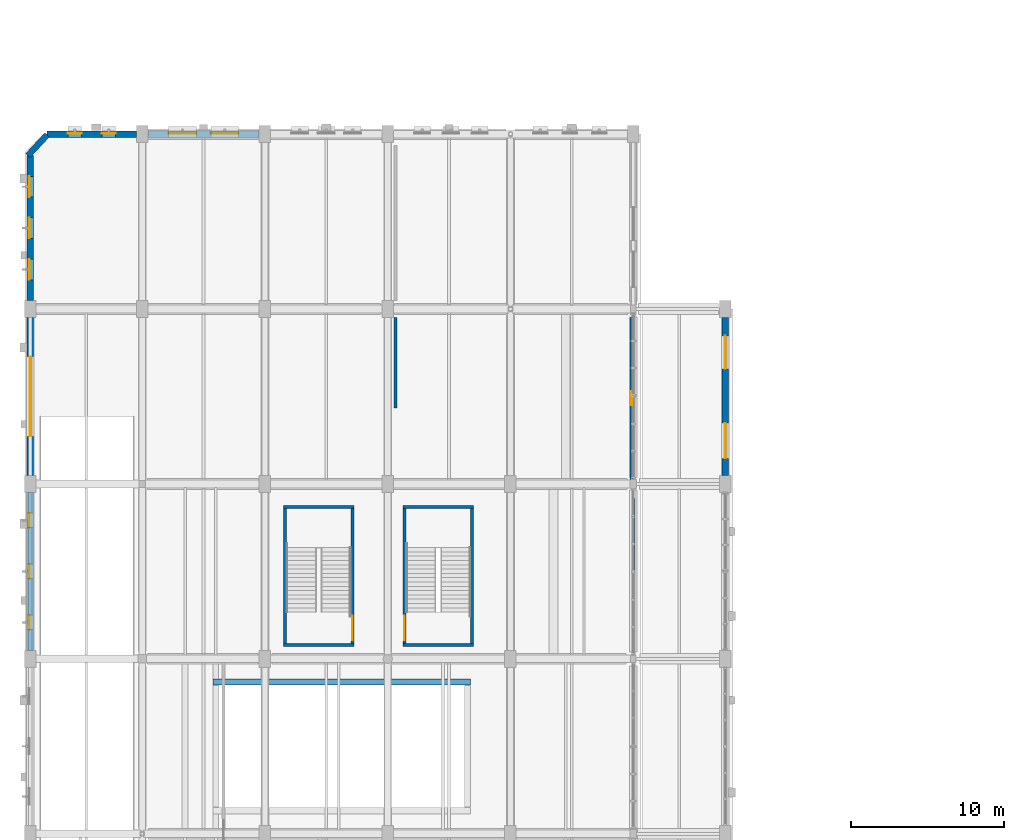
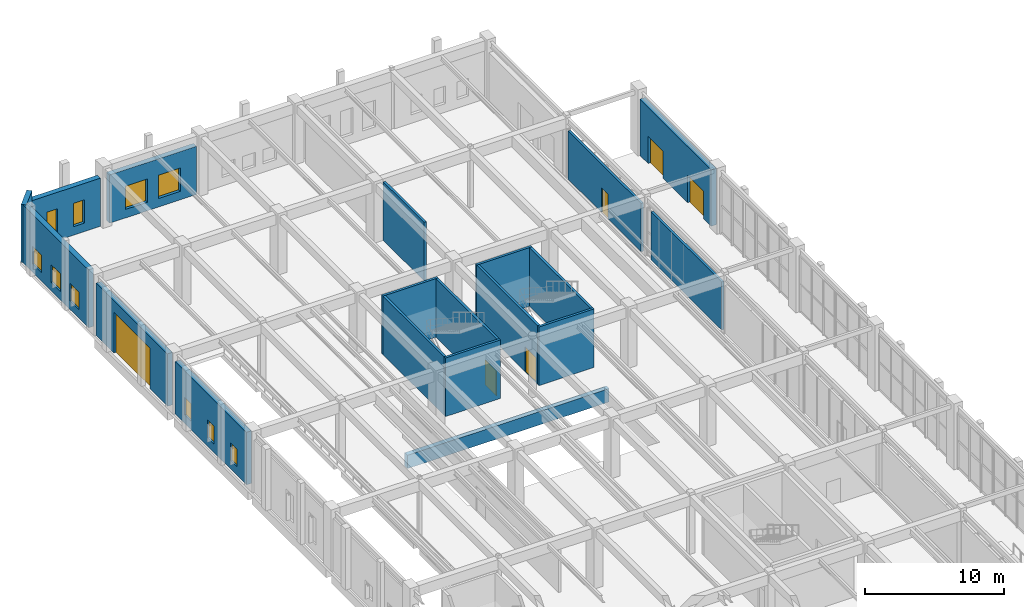
# One storey, part 88 of 113: 19 walls, 10 windows, 6 doors, 16 openings.
"""IFC4 building model written with IfcOpenShell, lengths in metres."""

import ifcopenshell
import ifcopenshell.guid

model = None  # the IFC model being written
_history = None  # IfcOwnerHistory: only IFC2X3 demands one
_inside = {}  # id of a spatial element -> (the spatial element, [elements in it])
_under = {}  # id of a project, library or spatial element -> (it, [spatial elements below it])
_declared = {}  # id of a project -> (the project, [libraries it declares])
_typed = {}  # id of a type object -> (the type object, [elements of that type])
_made_of = {}  # id of a material, layer set ... -> (it, [elements and type objects made of it])


def new_model(schema):
    """Start an empty IFC model of exactly this schema.

    Asked for "IFC4X3", IfcOpenShell would pick the latest addendum, in which some entities
    have other attributes; the version numbers below select the first issue.
    IFC2X3 requires an IfcOwnerHistory on every rooted entity: one is made here for all.
    """
    global model, _history
    if schema == "IFC4X3":
        model = ifcopenshell.file(schema_version=(4, 3, 0, 0))
    else:
        model = ifcopenshell.file(schema=schema)
    _inside.clear()
    _under.clear()
    _declared.clear()
    _typed.clear()
    _made_of.clear()
    _history = None
    if model.schema == "IFC2X3":
        org = make("IfcOrganization", Name="unknown")
        user = make(
            "IfcPersonAndOrganization",
            ThePerson=make("IfcPerson", FamilyName="unknown"),
            TheOrganization=org,
        )
        app = make(
            "IfcApplication",
            ApplicationDeveloper=org,
            Version="unknown",
            ApplicationFullName="unknown",
            ApplicationIdentifier="unknown",
        )
        _history = make(
            "IfcOwnerHistory",
            OwningUser=user,
            OwningApplication=app,
            ChangeAction="ADDED",
            CreationDate=0,
        )
    return model


def make(cls, **values):
    """One entity of the class cls with the attributes given. An attribute that is None is left unset."""
    return model.create_entity(
        cls, **{name: value for name, value in values.items() if value is not None}
    )


def rooted(cls, **values):
    """An entity with a GlobalId (a new one), such as an element, a storey or a relation."""
    return make(cls, GlobalId=ifcopenshell.guid.new(), OwnerHistory=_history, **values)


def si_unit(unit_type, name, prefix=None):
    """IfcSIUnit, for example si_unit("LENGTHUNIT", "METRE", prefix="MILLI")."""
    return make("IfcSIUnit", UnitType=unit_type, Prefix=prefix, Name=name)


def assignment(units):
    """IfcUnitAssignment: the units of a project."""
    return None if units is None else make("IfcUnitAssignment", Units=units)


def point(xyz):
    """IfcCartesianPoint."""
    return None if xyz is None else make("IfcCartesianPoint", Coordinates=xyz)


def direction(xyz):
    """IfcDirection."""
    return None if xyz is None else make("IfcDirection", DirectionRatios=xyz)


def frame(location, z_axis=None, x_axis=None):
    """IfcAxis2Placement3D, a coordinate frame: its origin and axes. An axis left out is left unset."""
    return make(
        "IfcAxis2Placement3D",
        Location=point(location),
        Axis=direction(z_axis),
        RefDirection=direction(x_axis),
    )


def frame_2d(location, x_axis=None):
    """IfcAxis2Placement2D, a coordinate frame in the plane: its origin and x axis."""
    return make(
        "IfcAxis2Placement2D", Location=point(location), RefDirection=direction(x_axis)
    )


def origin():
    """The frame at (0, 0, 0) with its axes left unset."""
    return frame((0.0, 0.0, 0.0))


def place(relative_to, where):
    """IfcLocalPlacement: puts the frame where relative to a parent placement (None: the world)."""
    return make(
        "IfcLocalPlacement", PlacementRelTo=relative_to, RelativePlacement=where
    )


def context(
    kind, dimensions, precision=None, world=None, true_north=None, identifier=None
):
    """IfcGeometricRepresentationContext, for example the 3D "Model" context."""
    return make(
        "IfcGeometricRepresentationContext",
        ContextIdentifier=identifier,
        ContextType=kind,
        CoordinateSpaceDimension=dimensions,
        Precision=precision,
        WorldCoordinateSystem=world,
        TrueNorth=true_north,
    )


def subcontext(parent, identifier, kind, view, scale=None):
    """IfcGeometricRepresentationSubContext, for example "Body" below "Model"."""
    return make(
        "IfcGeometricRepresentationSubContext",
        ContextIdentifier=identifier,
        ContextType=kind,
        ParentContext=parent,
        TargetScale=scale,
        TargetView=view,
    )


def project(units=None, contexts=None):
    """IfcProject with its units and contexts."""
    return rooted(
        "IfcProject",
        Name="project",
        RepresentationContexts=contexts,
        UnitsInContext=assignment(units),
    )


def spatial(cls, under=None, at=None, **own):
    """A site, building, storey or space (cls), placed at a placement, below another one or the project."""
    s = rooted(cls, ObjectPlacement=at, **own)
    if under is not None:
        _under.setdefault(under.id(), (under, []))[1].append(s)
    return s


def profile(cls, at=None, kind="AREA", **sizes):
    """A parametric profile (cls). Its sizes go by their IFC names, for example OverallWidth=200.0."""
    return make(cls, ProfileType=kind, Position=at, **sizes)


def rectangle(**sizes):
    """IfcRectangleProfileDef."""
    return profile("IfcRectangleProfileDef", **sizes)


def extrude(swept, where, along, depth):
    """IfcExtrudedAreaSolid: the profile swept, set in the frame where, extruded along a direction by depth."""
    return make(
        "IfcExtrudedAreaSolid",
        SweptArea=swept,
        Position=where,
        ExtrudedDirection=direction(along),
        Depth=depth,
    )


def shape(context_of_items, identifier, shape_type, items):
    """IfcShapeRepresentation: the items that make up one representation, for example the "Body"."""
    return make(
        "IfcShapeRepresentation",
        ContextOfItems=context_of_items,
        RepresentationIdentifier=identifier,
        RepresentationType=shape_type,
        Items=items,
    )


def material(Name=None, Category=None):
    """IfcMaterial."""
    return make("IfcMaterial", Name=Name, Category=Category)


def layer(
    of_material, thickness, ventilated=None, Name=None, Category=None, Priority=None
):
    """IfcMaterialLayer: one layer of a wall or slab, of a material (None: an air gap)."""
    return make(
        "IfcMaterialLayer",
        Material=of_material,
        LayerThickness=thickness,
        IsVentilated=ventilated,
        Name=Name,
        Category=Category,
        Priority=Priority,
    )


def layer_set(layers, Name=None):
    """IfcMaterialLayerSet."""
    return make("IfcMaterialLayerSet", MaterialLayers=layers, LayerSetName=Name)


def made_of(thing, what):
    """Note that an element or type object is made of a material, layer set ...; save() writes the relation."""
    if what is not None:
        _made_of.setdefault(what.id(), (what, []))[1].append(thing)
    return thing


def type_object(cls, material=None, **own):
    """A type object (cls), such as IfcWallType, which elements share."""
    return made_of(rooted(cls, **own), material)


def element(
    cls,
    number,
    at=None,
    inside=None,
    cuts=None,
    type_object=None,
    material=None,
    context=None,
    identifier="Body",
    shape_type=None,
    held_by="IfcProductDefinitionShape",
    body=None,
    shapes=None,
    **own,
):
    """One element of the class cls, such as IfcWall. Its Tag is "e" and its number.

    at: its placement. inside: the storey or other place that contains it. cuts: it is an
    opening in that element (IfcRelVoidsElement). A single representation is given by context,
    identifier, shape_type and body (its items); several are given by shapes. held_by: the class
    of the entity that holds the representations. save() writes the other relations.
    """
    e = rooted(cls, Tag="e%d" % number, ObjectPlacement=at, **own)
    if body is not None:
        shapes = [shape(context, identifier, shape_type, body)]
    if shapes is not None:
        e.Representation = make(held_by, Representations=shapes)
    if inside is not None:
        _inside.setdefault(inside.id(), (inside, []))[1].append(e)
    if cuts is not None:
        rooted(
            "IfcRelVoidsElement", RelatingBuildingElement=cuts, RelatedOpeningElement=e
        )
    if type_object is not None:
        _typed.setdefault(type_object.id(), (type_object, []))[1].append(e)
    return made_of(e, material)


def fill(opening, filler):
    """IfcRelFillsElement: the door or window that sits in an opening."""
    return rooted(
        "IfcRelFillsElement",
        RelatingOpeningElement=opening,
        RelatedBuildingElement=filler,
    )


def aggregate(whole, parts):
    """IfcRelAggregates: a whole, such as a stair, and the parts it consists of."""
    return rooted("IfcRelAggregates", RelatingObject=whole, RelatedObjects=parts)


def save(model, path):
    """Write the relations noted so far, then the file.

    IfcRelAggregates (storeys below a building ...), IfcRelContainedInSpatialStructure (elements
    in a storey), IfcRelDefinesByType, IfcRelAssociatesMaterial and IfcRelDeclares: one each for
    every whole, place, type object, material and project.
    """
    for whole, parts in _under.values():
        aggregate(whole, parts)
    for where, things in _inside.values():
        rooted(
            "IfcRelContainedInSpatialStructure",
            RelatedElements=things,
            RelatingStructure=where,
        )
    for kind, things in _typed.values():
        rooted("IfcRelDefinesByType", RelatedObjects=things, RelatingType=kind)
    for what, things in _made_of.values():
        rooted("IfcRelAssociatesMaterial", RelatedObjects=things, RelatingMaterial=what)
    for by, libraries in _declared.values():
        rooted("IfcRelDeclares", RelatingContext=by, RelatedDefinitions=libraries)
    model.write(path)


model = new_model("IFC4")

# Units and contexts
model_context = context("Model", 3, precision=1e-05, world=origin(), true_north=direction((0.0, 1.0)))
body_context = subcontext(model_context, "Body", "Model", "MODEL_VIEW")
ifc_project = project(units=[si_unit("LENGTHUNIT", "METRE"), si_unit("AREAUNIT", "SQUARE_METRE"), si_unit("VOLUMEUNIT", "CUBIC_METRE"), si_unit("PLANEANGLEUNIT", "RADIAN"), si_unit("MASSUNIT", "GRAM", prefix="KILO"), si_unit("POWERUNIT", "WATT"), si_unit("THERMODYNAMICTEMPERATUREUNIT", "KELVIN")], contexts=[model_context])

# Site, building, storey
site_placement = place(None, origin())
site = spatial("IfcSite", under=ifc_project, at=site_placement, CompositionType="ELEMENT")
building_placement = place(site_placement, origin())
building = spatial("IfcBuilding", under=site, at=building_placement, Name="Kelmbourne Parkland Aquatics Centre", CompositionType="ELEMENT")
storey_placement = place(building_placement, origin())
storey = spatial("IfcBuildingStorey", under=building, at=storey_placement, Name="L00", CompositionType="ELEMENT", Elevation=0.0)

# Wall
ifc_material_1 = material(Name="Russet clinker clay brickwork", Category="masonry")
ifc_layer_1 = layer(ifc_material_1, 0.389892578125)
ifc_layer_set_1 = layer_set([ifc_layer_1], Name="Russet clinker clay brickwork")
wall_type_1 = type_object("IfcWallType", Name="W-EXT-390", PredefinedType="STANDARD", material=ifc_layer_set_1)
wall_1_placement = place(storey_placement, frame((0.550048828125, 102.0, 0.0), z_axis=(0.0, 0.0, 1.0), x_axis=(0.679381571114, 0.733785173488, 0.0)))
element("IfcWall", 1, at=wall_1_placement, inside=storey, type_object=wall_type_1, Name="Stepped brick corner bevel CHAM-L00-NW", PredefinedType="STANDARD", context=body_context, shape_type="SweptSolid", body=[
    extrude(rectangle(XDim=1.83984375, YDim=0.389892578125, at=frame_2d((0.919921875, 0.0))), origin(), (0.0, 0.0, 1.0), 5.10009765625),
])

# Wall, openings, windows
ifc_material_2 = material(Name="Dark manganite base-course brickwork", Category="masonry")
ifc_layer_2 = layer(ifc_material_2, 0.429931640625)
ifc_layer_set_2 = layer_set([ifc_layer_2], Name="Dark manganite base-course brickwork")
wall_type_2 = type_object("IfcWallType", Name="W-EXT-430", PredefinedType="STANDARD", material=ifc_layer_set_2)
wall_2_placement = place(storey_placement, frame((0.699951171875, 69.751953125, 0.0), z_axis=(0.0, 0.0, 1.0), x_axis=(0.0, 1.0, 0.0)))
wall_2 = element("IfcWall", 2, at=wall_2_placement, inside=storey, type_object=wall_type_2, Name="Exterior polychrome brick wall EW-L00-007", PredefinedType="STANDARD", context=body_context, shape_type="SweptSolid", body=[
    extrude(rectangle(XDim=10.296142578125, YDim=0.429931640625, at=frame_2d((5.14794921875, 0.0))), origin(), (0.0, 0.0, 1.0), 4.612060546875),
])
opening_1_placement = place(wall_2_placement, frame((1.35009765625, 0.0, 0.75)))
opening_1 = element("IfcOpeningElement", 3, at=opening_1_placement, cuts=wall_2, Name="Opening W21", PredefinedType="OPENING", context=body_context, shape_type="SweptSolid", body=[
    extrude(rectangle(XDim=0.949951171875, YDim=1.550048828125, at=frame_2d((0.47509765625, 0.77490234375))), frame((0.0, 0.22705078125, 0.0), z_axis=(0.0, -1.0, 0.0), x_axis=(1.0, 0.0, 0.0)), (0.0, 0.0, 1.0), 0.453857421875),
])
opening_2_placement = place(wall_2_placement, frame((4.673095703125, 0.0, 0.75)))
opening_2 = element("IfcOpeningElement", 4, at=opening_2_placement, cuts=wall_2, Name="Opening W21", PredefinedType="OPENING", context=body_context, shape_type="SweptSolid", body=[
    extrude(rectangle(XDim=0.949951171875, YDim=1.550048828125, at=frame_2d((0.47509765625, 0.77490234375))), frame((0.0, 0.22705078125, 0.0), z_axis=(0.0, -1.0, 0.0), x_axis=(1.0, 0.0, 0.0)), (0.0, 0.0, 1.0), 0.453857421875),
])
opening_3_placement = place(wall_2_placement, frame((7.99609375, 0.0, 0.75)))
opening_3 = element("IfcOpeningElement", 5, at=opening_3_placement, cuts=wall_2, Name="Opening W21", PredefinedType="OPENING", context=body_context, shape_type="SweptSolid", body=[
    extrude(rectangle(XDim=0.949951171875, YDim=1.550048828125, at=frame_2d((0.47509765625, 0.77490234375))), frame((0.0, 0.22705078125, 0.0), z_axis=(0.0, -1.0, 0.0), x_axis=(1.0, 0.0, 0.0)), (0.0, 0.0, 1.0), 0.453857421875),
])
ifc_material_3 = material(Name="Thermally broken anodised aluminium window with low-e glass", Category="aluminium")
ifc_layer_3 = layer(ifc_material_3, 0.090087890625)
ifc_layer_set_3 = layer_set([ifc_layer_3], Name="Thermally broken anodised aluminium window with low-e glass")
window_type_1 = type_object("IfcWindowType", Name="WN-21", PartitioningType="SINGLE_PANEL", PredefinedType="WINDOW", material=ifc_layer_set_3)
window_1_placement = place(opening_1_placement, origin())
window_1 = element("IfcWindow", 6, at=window_1_placement, inside=storey, type_object=window_type_1, Name="Deep-reveal masonry window W21", OverallHeight=1.550048828125, OverallWidth=0.949951171875, PartitioningType="SINGLE_PANEL", PredefinedType="WINDOW", context=body_context, shape_type="SweptSolid", body=[
    extrude(rectangle(XDim=0.949951171875, YDim=1.550048828125, at=frame_2d((0.47509765625, 0.77490234375))), frame((0.0, 0.080078125, 0.0), z_axis=(0.0, -1.0, 0.0), x_axis=(1.0, 0.0, 0.0)), (0.0, 0.0, 1.0), 0.06005859375),
])
fill(opening_1, window_1)
window_2_placement = place(opening_2_placement, origin())
window_2 = element("IfcWindow", 7, at=window_2_placement, inside=storey, type_object=window_type_1, Name="Deep-reveal masonry window W21", OverallHeight=1.550048828125, OverallWidth=0.949951171875, PartitioningType="SINGLE_PANEL", PredefinedType="WINDOW", context=body_context, shape_type="SweptSolid", body=[
    extrude(rectangle(XDim=0.949951171875, YDim=1.550048828125, at=frame_2d((0.47509765625, 0.77490234375))), frame((0.0, 0.080078125, 0.0), z_axis=(0.0, -1.0, 0.0), x_axis=(1.0, 0.0, 0.0)), (0.0, 0.0, 1.0), 0.06005859375),
])
fill(opening_2, window_2)
window_3_placement = place(opening_3_placement, origin())
window_3 = element("IfcWindow", 8, at=window_3_placement, inside=storey, type_object=window_type_1, Name="Deep-reveal masonry window W21", OverallHeight=1.550048828125, OverallWidth=0.949951171875, PartitioningType="SINGLE_PANEL", PredefinedType="WINDOW", context=body_context, shape_type="SweptSolid", body=[
    extrude(rectangle(XDim=0.949951171875, YDim=1.550048828125, at=frame_2d((0.47509765625, 0.77490234375))), frame((0.0, 0.080078125, 0.0), z_axis=(0.0, -1.0, 0.0), x_axis=(1.0, 0.0, 0.0)), (0.0, 0.0, 1.0), 0.06005859375),
])
fill(opening_3, window_3)

# Wall, opening, door
wall_3_placement = place(storey_placement, frame((0.699951171875, 81.152099609375, 0.0), z_axis=(0.0, 0.0, 1.0), x_axis=(0.0, 1.0, 0.0)))
wall_3 = element("IfcWall", 9, at=wall_3_placement, inside=storey, type_object=wall_type_2, Name="Exterior polychrome brick wall EW-L00-008", PredefinedType="STANDARD", context=body_context, shape_type="SweptSolid", body=[
    extrude(rectangle(XDim=10.2958984375, YDim=0.429931640625, at=frame_2d((5.14794921875, 0.0))), origin(), (0.0, 0.0, 1.0), 4.612060546875),
])
opening_4_placement = place(wall_3_placement, frame((2.548095703125, 0.0, 0.0)))
opening_4 = element("IfcOpeningElement", 10, at=opening_4_placement, cuts=wall_3, Name="Opening SH01", PredefinedType="OPENING", context=body_context, shape_type="SweptSolid", body=[
    extrude(rectangle(XDim=5.199951171875, YDim=3.60009765625, at=frame_2d((2.60009765625, 1.800048828125))), frame((0.0, 0.22705078125, 0.0), z_axis=(0.0, -1.0, 0.0), x_axis=(1.0, 0.0, 0.0)), (0.0, 0.0, 1.0), 0.453857421875),
])
ifc_material_4 = material(Name="Thermally broken anodised aluminium commercial door", Category="aluminium")
ifc_layer_4 = layer(ifc_material_4, 0.06005859375)
ifc_layer_set_4 = layer_set([ifc_layer_4], Name="Thermally broken anodised aluminium commercial door")
door_type_1 = type_object("IfcDoorType", Name="DR-SH-01", OperationType="NOTDEFINED", PredefinedType="DOOR", material=ifc_layer_set_4)
door_1_placement = place(opening_4_placement, origin())
door_1 = element("IfcDoor", 11, at=door_1_placement, inside=storey, type_object=door_type_1, Name="Motorised vehicle security shutter SH01", OperationType="ROLLINGUP", OverallHeight=3.60009765625, OverallWidth=5.199951171875, PredefinedType="DOOR", context=body_context, shape_type="SweptSolid", body=[
    extrude(rectangle(XDim=5.199951171875, YDim=3.60009765625, at=frame_2d((2.60009765625, 1.800048828125))), frame((0.0, 0.02490234375, 0.0), z_axis=(0.0, -1.0, 0.0), x_axis=(1.0, 0.0, 0.0)), (0.0, 0.0, 1.0), 0.050048828125),
])
fill(opening_4, door_1)

# Wall, openings, windows
wall_4_placement = place(storey_placement, frame((0.699951171875, 92.552001953125, 0.0), z_axis=(0.0, 0.0, 1.0), x_axis=(0.0, 1.0, 0.0)))
wall_4 = element("IfcWall", 12, at=wall_4_placement, inside=storey, type_object=wall_type_2, Name="Exterior polychrome brick wall EW-L00-009", PredefinedType="STANDARD", context=body_context, shape_type="SweptSolid", body=[
    extrude(rectangle(XDim=9.447998046875, YDim=0.429931640625, at=frame_2d((4.72412109375, 0.0))), origin(), (0.0, 0.0, 1.0), 5.10009765625),
])
opening_5_placement = place(wall_4_placement, frame((1.35009765625, 0.0, 0.75)))
opening_5 = element("IfcOpeningElement", 13, at=opening_5_placement, cuts=wall_4, Name="Opening W22", PredefinedType="OPENING", context=body_context, shape_type="SweptSolid", body=[
    extrude(rectangle(XDim=1.35009765625, YDim=1.550048828125, at=frame_2d((0.675048828125, 0.77490234375))), frame((0.0, 0.22705078125, 0.0), z_axis=(0.0, -1.0, 0.0), x_axis=(1.0, 0.0, 0.0)), (0.0, 0.0, 1.0), 0.453857421875),
])
opening_6_placement = place(wall_4_placement, frame((4.049072265625, 0.0, 0.75)))
opening_6 = element("IfcOpeningElement", 14, at=opening_6_placement, cuts=wall_4, Name="Opening W22", PredefinedType="OPENING", context=body_context, shape_type="SweptSolid", body=[
    extrude(rectangle(XDim=1.35009765625, YDim=1.550048828125, at=frame_2d((0.675048828125, 0.77490234375))), frame((0.0, 0.22705078125, 0.0), z_axis=(0.0, -1.0, 0.0), x_axis=(1.0, 0.0, 0.0)), (0.0, 0.0, 1.0), 0.453857421875),
])
opening_7_placement = place(wall_4_placement, frame((6.748046875, 0.0, 0.75)))
opening_7 = element("IfcOpeningElement", 15, at=opening_7_placement, cuts=wall_4, Name="Opening W22", PredefinedType="OPENING", context=body_context, shape_type="SweptSolid", body=[
    extrude(rectangle(XDim=1.35009765625, YDim=1.550048828125, at=frame_2d((0.675048828125, 0.77490234375))), frame((0.0, 0.22705078125, 0.0), z_axis=(0.0, -1.0, 0.0), x_axis=(1.0, 0.0, 0.0)), (0.0, 0.0, 1.0), 0.453857421875),
])
ifc_layer_5 = layer(ifc_material_3, 0.090087890625)
ifc_layer_set_5 = layer_set([ifc_layer_5], Name="Thermally broken anodised aluminium window with low-e glass")
window_type_2 = type_object("IfcWindowType", Name="WN-22", PartitioningType="DOUBLE_PANEL_VERTICAL", PredefinedType="WINDOW", material=ifc_layer_set_5)
window_4_placement = place(opening_5_placement, origin())
window_4 = element("IfcWindow", 16, at=window_4_placement, inside=storey, type_object=window_type_2, Name="Deep-reveal masonry window W22", OverallHeight=1.550048828125, OverallWidth=1.35009765625, PartitioningType="DOUBLE_PANEL_VERTICAL", PredefinedType="WINDOW", context=body_context, shape_type="SweptSolid", body=[
    extrude(rectangle(XDim=1.35009765625, YDim=1.550048828125, at=frame_2d((0.675048828125, 0.77490234375))), frame((0.0, 0.080078125, 0.0), z_axis=(0.0, -1.0, 0.0), x_axis=(1.0, 0.0, 0.0)), (0.0, 0.0, 1.0), 0.06005859375),
])
fill(opening_5, window_4)
window_5_placement = place(opening_6_placement, origin())
window_5 = element("IfcWindow", 17, at=window_5_placement, inside=storey, type_object=window_type_2, Name="Deep-reveal masonry window W22", OverallHeight=1.550048828125, OverallWidth=1.35009765625, PartitioningType="DOUBLE_PANEL_VERTICAL", PredefinedType="WINDOW", context=body_context, shape_type="SweptSolid", body=[
    extrude(rectangle(XDim=1.35009765625, YDim=1.550048828125, at=frame_2d((0.675048828125, 0.77490234375))), frame((0.0, 0.080078125, 0.0), z_axis=(0.0, -1.0, 0.0), x_axis=(1.0, 0.0, 0.0)), (0.0, 0.0, 1.0), 0.06005859375),
])
fill(opening_6, window_5)
window_6_placement = place(opening_7_placement, origin())
window_6 = element("IfcWindow", 18, at=window_6_placement, inside=storey, type_object=window_type_2, Name="Deep-reveal masonry window W22", OverallHeight=1.550048828125, OverallWidth=1.35009765625, PartitioningType="DOUBLE_PANEL_VERTICAL", PredefinedType="WINDOW", context=body_context, shape_type="SweptSolid", body=[
    extrude(rectangle(XDim=1.35009765625, YDim=1.550048828125, at=frame_2d((0.675048828125, 0.77490234375))), frame((0.0, 0.080078125, 0.0), z_axis=(0.0, -1.0, 0.0), x_axis=(1.0, 0.0, 0.0)), (0.0, 0.0, 1.0), 0.06005859375),
])
fill(opening_7, window_6)

wall_5_placement = place(storey_placement, frame((1.800048828125, 103.39990234375, 0.0), z_axis=(0.0, 0.0, 1.0), x_axis=(1.0, 0.0, 0.0)))
wall_5 = element("IfcWall", 19, at=wall_5_placement, inside=storey, type_object=wall_type_2, Name="Exterior polychrome brick wall EW-L00-015", PredefinedType="STANDARD", context=body_context, shape_type="SweptSolid", body=[
    extrude(rectangle(XDim=5.822998046875, YDim=0.429931640625, at=frame_2d((2.91162109375, 0.0))), origin(), (0.0, 0.0, 1.0), 4.2451171875),
])
opening_8_placement = place(wall_5_placement, frame((1.35009765625, 0.0, 0.75)))
opening_8 = element("IfcOpeningElement", 20, at=opening_8_placement, cuts=wall_5, Name="Opening W07", PredefinedType="OPENING", context=body_context, shape_type="SweptSolid", body=[
    extrude(rectangle(XDim=0.89990234375, YDim=2.050048828125, at=frame_2d((0.449951171875, 1.02490234375))), frame((0.0, 0.22705078125, 0.0), z_axis=(0.0, -1.0, 0.0), x_axis=(1.0, 0.0, 0.0)), (0.0, 0.0, 1.0), 0.453857421875),
])
opening_9_placement = place(wall_5_placement, frame((3.572998046875, 0.0, 0.75)))
opening_9 = element("IfcOpeningElement", 21, at=opening_9_placement, cuts=wall_5, Name="Opening W07", PredefinedType="OPENING", context=body_context, shape_type="SweptSolid", body=[
    extrude(rectangle(XDim=0.89990234375, YDim=2.050048828125, at=frame_2d((0.449951171875, 1.02490234375))), frame((0.0, 0.22705078125, 0.0), z_axis=(0.0, -1.0, 0.0), x_axis=(1.0, 0.0, 0.0)), (0.0, 0.0, 1.0), 0.453857421875),
])
ifc_layer_6 = layer(ifc_material_3, 0.090087890625)
ifc_layer_set_6 = layer_set([ifc_layer_6], Name="Thermally broken anodised aluminium window with low-e glass")
window_type_3 = type_object("IfcWindowType", Name="WN-07", PartitioningType="SINGLE_PANEL", PredefinedType="WINDOW", material=ifc_layer_set_6)
window_7_placement = place(opening_8_placement, origin())
window_7 = element("IfcWindow", 22, at=window_7_placement, inside=storey, type_object=window_type_3, Name="Deep-reveal masonry window W07", OverallHeight=2.050048828125, OverallWidth=0.89990234375, PartitioningType="SINGLE_PANEL", PredefinedType="WINDOW", context=body_context, shape_type="SweptSolid", body=[
    extrude(rectangle(XDim=0.89990234375, YDim=2.050048828125, at=frame_2d((0.449951171875, 1.02490234375))), frame((0.0, 0.080078125, 0.0), z_axis=(0.0, -1.0, 0.0), x_axis=(1.0, 0.0, 0.0)), (0.0, 0.0, 1.0), 0.06005859375),
])
fill(opening_8, window_7)
window_8_placement = place(opening_9_placement, origin())
window_8 = element("IfcWindow", 23, at=window_8_placement, inside=storey, type_object=window_type_3, Name="Deep-reveal masonry window W07", OverallHeight=2.050048828125, OverallWidth=0.89990234375, PartitioningType="SINGLE_PANEL", PredefinedType="WINDOW", context=body_context, shape_type="SweptSolid", body=[
    extrude(rectangle(XDim=0.89990234375, YDim=2.050048828125, at=frame_2d((0.449951171875, 1.02490234375))), frame((0.0, 0.080078125, 0.0), z_axis=(0.0, -1.0, 0.0), x_axis=(1.0, 0.0, 0.0)), (0.0, 0.0, 1.0), 0.06005859375),
])
fill(opening_9, window_8)

wall_6_placement = place(storey_placement, frame((8.376953125, 103.39990234375, 0.0), z_axis=(0.0, 0.0, 1.0), x_axis=(1.0, 0.0, 0.0)))
wall_6 = element("IfcWall", 24, at=wall_6_placement, inside=storey, type_object=wall_type_2, Name="Exterior polychrome brick wall EW-L00-016", PredefinedType="STANDARD", context=body_context, shape_type="SweptSolid", body=[
    extrude(rectangle(XDim=7.24609375, YDim=0.429931640625, at=frame_2d((3.623046875, 0.0))), origin(), (0.0, 0.0, 1.0), 4.2451171875),
])
opening_10_placement = place(wall_6_placement, frame((1.35009765625, 0.0, 0.75)))
opening_10 = element("IfcOpeningElement", 25, at=opening_10_placement, cuts=wall_6, Name="Opening W10", PredefinedType="OPENING", context=body_context, shape_type="SweptSolid", body=[
    extrude(rectangle(XDim=1.800048828125, YDim=2.050048828125, at=frame_2d((0.89990234375, 1.02490234375))), frame((0.0, 0.22705078125, 0.0), z_axis=(0.0, -1.0, 0.0), x_axis=(1.0, 0.0, 0.0)), (0.0, 0.0, 1.0), 0.453857421875),
])
opening_11_placement = place(wall_6_placement, frame((4.095947265625, 0.0, 0.75)))
opening_11 = element("IfcOpeningElement", 26, at=opening_11_placement, cuts=wall_6, Name="Opening W10", PredefinedType="OPENING", context=body_context, shape_type="SweptSolid", body=[
    extrude(rectangle(XDim=1.800048828125, YDim=2.050048828125, at=frame_2d((0.89990234375, 1.02490234375))), frame((0.0, 0.22705078125, 0.0), z_axis=(0.0, -1.0, 0.0), x_axis=(1.0, 0.0, 0.0)), (0.0, 0.0, 1.0), 0.453857421875),
])
ifc_layer_7 = layer(ifc_material_3, 0.090087890625)
ifc_layer_set_7 = layer_set([ifc_layer_7], Name="Thermally broken anodised aluminium window with low-e glass")
window_type_4 = type_object("IfcWindowType", Name="WN-10", PartitioningType="DOUBLE_PANEL_VERTICAL", PredefinedType="WINDOW", material=ifc_layer_set_7)
window_9_placement = place(opening_10_placement, origin())
window_9 = element("IfcWindow", 27, at=window_9_placement, inside=storey, type_object=window_type_4, Name="Deep-reveal masonry window W10", OverallHeight=2.050048828125, OverallWidth=1.800048828125, PartitioningType="DOUBLE_PANEL_VERTICAL", PredefinedType="WINDOW", context=body_context, shape_type="SweptSolid", body=[
    extrude(rectangle(XDim=1.800048828125, YDim=2.050048828125, at=frame_2d((0.89990234375, 1.02490234375))), frame((0.0, 0.080078125, 0.0), z_axis=(0.0, -1.0, 0.0), x_axis=(1.0, 0.0, 0.0)), (0.0, 0.0, 1.0), 0.06005859375),
])
fill(opening_10, window_9)
window_10_placement = place(opening_11_placement, origin())
window_10 = element("IfcWindow", 28, at=window_10_placement, inside=storey, type_object=window_type_4, Name="Deep-reveal masonry window W10", OverallHeight=2.050048828125, OverallWidth=1.800048828125, PartitioningType="DOUBLE_PANEL_VERTICAL", PredefinedType="WINDOW", context=body_context, shape_type="SweptSolid", body=[
    extrude(rectangle(XDim=1.800048828125, YDim=2.050048828125, at=frame_2d((0.89990234375, 1.02490234375))), frame((0.0, 0.080078125, 0.0), z_axis=(0.0, -1.0, 0.0), x_axis=(1.0, 0.0, 0.0)), (0.0, 0.0, 1.0), 0.06005859375),
])
fill(opening_11, window_10)

# Wall, openings, doors
wall_7_placement = place(storey_placement, frame((46.0, 81.152099609375, 0.0), z_axis=(0.0, 0.0, 1.0), x_axis=(0.0, 1.0, 0.0)))
wall_7 = element("IfcWall", 29, at=wall_7_placement, inside=storey, type_object=wall_type_2, Name="Exterior polychrome brick wall EW-L00-031", PredefinedType="STANDARD", context=body_context, shape_type="SweptSolid", body=[
    extrude(rectangle(XDim=10.2958984375, YDim=0.429931640625, at=frame_2d((5.14794921875, 0.0))), origin(), (0.0, 0.0, 1.0), 4.951904296875),
])
opening_12_placement = place(wall_7_placement, frame((1.114990234375, 0.0, 0.0)))
opening_12 = element("IfcOpeningElement", 30, at=opening_12_placement, cuts=wall_7, Name="Opening E09", PredefinedType="OPENING", context=body_context, shape_type="SweptSolid", body=[
    extrude(rectangle(XDim=2.300048828125, YDim=2.39990234375, at=frame_2d((1.14990234375, 1.199951171875))), frame((0.0, 0.22705078125, 0.0), z_axis=(0.0, -1.0, 0.0), x_axis=(1.0, 0.0, 0.0)), (0.0, 0.0, 1.0), 0.453857421875),
])
opening_13_placement = place(wall_7_placement, frame((6.955810546875, 0.0, 0.0)))
opening_13 = element("IfcOpeningElement", 31, at=opening_13_placement, cuts=wall_7, Name="Opening E10", PredefinedType="OPENING", context=body_context, shape_type="SweptSolid", body=[
    extrude(rectangle(XDim=2.14990234375, YDim=2.39990234375, at=frame_2d((1.074951171875, 1.199951171875))), frame((0.0, 0.22705078125, 0.0), z_axis=(0.0, -1.0, 0.0), x_axis=(1.0, 0.0, 0.0)), (0.0, 0.0, 1.0), 0.453857421875),
])
ifc_layer_8 = layer(ifc_material_4, 0.06005859375)
ifc_layer_set_8 = layer_set([ifc_layer_8], Name="Thermally broken anodised aluminium commercial door")
door_type_2 = type_object("IfcDoorType", Name="DR-EXT-215", OperationType="NOTDEFINED", PredefinedType="DOOR", material=ifc_layer_set_8)
door_2_placement = place(opening_13_placement, frame((2.14990234375, 0.0, 0.0), z_axis=(0.0, 0.0, 1.0), x_axis=(-1.0, 0.0, 0.0)))
door_2 = element("IfcDoor", 32, at=door_2_placement, inside=storey, type_object=door_type_2, Name="Final exit double door E10", OperationType="DOUBLE_DOOR_SINGLE_SWING", OverallHeight=2.39990234375, OverallWidth=2.14990234375, PredefinedType="DOOR", context=body_context, shape_type="SweptSolid", body=[
    extrude(rectangle(XDim=2.14990234375, YDim=2.39990234375, at=frame_2d((1.074951171875, 1.199951171875))), frame((0.0, 0.02490234375, 0.0), z_axis=(0.0, -1.0, 0.0), x_axis=(1.0, 0.0, 0.0)), (0.0, 0.0, 1.0), 0.050048828125),
])
fill(opening_13, door_2)
ifc_layer_9 = layer(ifc_material_4, 0.06005859375)
ifc_layer_set_9 = layer_set([ifc_layer_9], Name="Thermally broken anodised aluminium commercial door")
door_type_3 = type_object("IfcDoorType", Name="DR-EXT-230", OperationType="NOTDEFINED", PredefinedType="DOOR", material=ifc_layer_set_9)
door_3_placement = place(opening_12_placement, frame((2.300048828125, 0.0, 0.0), z_axis=(0.0, 0.0, 1.0), x_axis=(-1.0, 0.0, 0.0)))
door_3 = element("IfcDoor", 33, at=door_3_placement, inside=storey, type_object=door_type_3, Name="Final exit double door E09", OperationType="DOUBLE_DOOR_SINGLE_SWING", OverallHeight=2.39990234375, OverallWidth=2.300048828125, PredefinedType="DOOR", context=body_context, shape_type="SweptSolid", body=[
    extrude(rectangle(XDim=2.300048828125, YDim=2.39990234375, at=frame_2d((1.14990234375, 1.199951171875))), frame((0.0, 0.02490234375, 0.0), z_axis=(0.0, -1.0, 0.0), x_axis=(1.0, 0.0, 0.0)), (0.0, 0.0, 1.0), 0.050048828125),
])
fill(opening_12, door_3)

# Walls
ifc_material_5 = material(Name="Concrete blockwork C32/40", Category="masonry")
ifc_layer_10 = layer(ifc_material_5, 0.199951171875)
ifc_layer_set_10 = layer_set([ifc_layer_10], Name="Concrete blockwork C32/40")
wall_type_3 = type_object("IfcWallType", Name="W-FIRE-200", PredefinedType="SOLIDWALL", material=ifc_layer_set_10)
for number, where, z_axis, x_axis, name in (
    (34, (25.0, 70.10009765625, 0.0), (0.0, 0.0, 1.0), (1.0, 0.0, 0.0), "West North Prow Exit Stair south enclosure (L00)"),
    (35, (25.0, 79.10009765625, 0.0), (0.0, 0.0, 1.0), (1.0, 0.0, 0.0), "West North Prow Exit Stair north enclosure (L00)"),
):
    element("IfcWall", number, at=place(storey_placement, frame(where, z_axis=z_axis, x_axis=x_axis)), inside=storey, type_object=wall_type_3, Name=name, PredefinedType="SOLIDWALL", context=body_context, shape_type="SweptSolid", body=[
        extrude(rectangle(XDim=4.60009765625, YDim=0.199951171875, at=frame_2d((2.300048828125, 0.0))), origin(), (0.0, 0.0, 1.0), 5.159912109375),
    ])

# Wall, opening, door
wall_8_placement = place(storey_placement, frame((25.10009765625, 70.199951171875, 0.0), z_axis=(0.0, 0.0, 1.0), x_axis=(0.0, 1.0, 0.0)))
wall_8 = element("IfcWall", 36, at=wall_8_placement, inside=storey, type_object=wall_type_3, Name="West North Prow Exit Stair west enclosure (L00)", PredefinedType="SOLIDWALL", context=body_context, shape_type="SweptSolid", body=[
    extrude(rectangle(XDim=8.800048828125, YDim=0.199951171875, at=frame_2d((4.39990234375, 0.0))), origin(), (0.0, 0.0, 1.0), 5.159912109375),
])
opening_14_placement = place(wall_8_placement, frame((0.219970703125, 0.0, 0.0)))
opening_14 = element("IfcOpeningElement", 37, at=opening_14_placement, cuts=wall_8, Name="Opening FD02", PredefinedType="OPENING", context=body_context, shape_type="SweptSolid", body=[
    extrude(rectangle(XDim=1.60009765625, YDim=2.199951171875, at=frame_2d((0.800048828125, 1.10009765625))), frame((0.0, 0.11181640625, 0.0), z_axis=(0.0, -1.0, 0.0), x_axis=(1.0, 0.0, 0.0)), (0.0, 0.0, 1.0), 0.223876953125),
])
ifc_material_6 = material(Name="Marine-grade stainless steel and fire-rated hardwood doorset", Category="steel")
ifc_layer_11 = layer(ifc_material_6, 0.050048828125)
ifc_layer_set_11 = layer_set([ifc_layer_11], Name="Marine-grade stainless steel and fire-rated hardwood doorset")
door_type_4 = type_object("IfcDoorType", Name="DR-FD-160", OperationType="NOTDEFINED", PredefinedType="DOOR", material=ifc_layer_set_11)
door_4_placement = place(opening_14_placement, origin())
door_4 = element("IfcDoor", 38, at=door_4_placement, inside=storey, type_object=door_type_4, Name="Exit stair fire door ST12 (L00)", OperationType="DOUBLE_DOOR_SINGLE_SWING", OverallHeight=2.199951171875, OverallWidth=1.60009765625, PredefinedType="DOOR", context=body_context, shape_type="SweptSolid", body=[
    extrude(rectangle(XDim=1.60009765625, YDim=2.199951171875, at=frame_2d((0.800048828125, 1.10009765625))), frame((0.0, 0.02490234375, 0.0), z_axis=(0.0, -1.0, 0.0), x_axis=(1.0, 0.0, 0.0)), (0.0, 0.0, 1.0), 0.050048828125),
])
fill(opening_14, door_4)

# Walls
wall_9_placement = place(storey_placement, frame((29.5, 70.199951171875, 0.0), z_axis=(0.0, 0.0, 1.0), x_axis=(0.0, 1.0, 0.0)))
element("IfcWall", 39, at=wall_9_placement, inside=storey, type_object=wall_type_3, Name="West North Prow Exit Stair east enclosure (L00)", PredefinedType="SOLIDWALL", context=body_context, shape_type="SweptSolid", body=[
    extrude(rectangle(XDim=8.800048828125, YDim=0.199951171875, at=frame_2d((4.39990234375, 0.0))), origin(), (0.0, 0.0, 1.0), 5.159912109375),
])
for number, where, z_axis, x_axis, name in (
    (40, (17.199951171875, 70.10009765625, 0.0), (0.0, 0.0, 1.0), (1.0, 0.0, 0.0), "West Mid-Wing Exit Stair south enclosure (L00)"),
    (41, (17.199951171875, 79.10009765625, 0.0), (0.0, 0.0, 1.0), (1.0, 0.0, 0.0), "West Mid-Wing Exit Stair north enclosure (L00)"),
):
    element("IfcWall", number, at=place(storey_placement, frame(where, z_axis=z_axis, x_axis=x_axis)), inside=storey, type_object=wall_type_3, Name=name, PredefinedType="SOLIDWALL", context=body_context, shape_type="SweptSolid", body=[
        extrude(rectangle(XDim=4.60009765625, YDim=0.199951171875, at=frame_2d((2.300048828125, 0.0))), origin(), (0.0, 0.0, 1.0), 5.159912109375),
    ])
wall_10_placement = place(storey_placement, frame((17.300048828125, 70.199951171875, 0.0), z_axis=(0.0, 0.0, 1.0), x_axis=(0.0, 1.0, 0.0)))
element("IfcWall", 42, at=wall_10_placement, inside=storey, type_object=wall_type_3, Name="West Mid-Wing Exit Stair west enclosure (L00)", PredefinedType="SOLIDWALL", context=body_context, shape_type="SweptSolid", body=[
    extrude(rectangle(XDim=8.800048828125, YDim=0.199951171875, at=frame_2d((4.39990234375, 0.0))), origin(), (0.0, 0.0, 1.0), 5.159912109375),
])

# Wall, opening, door
wall_11_placement = place(storey_placement, frame((21.699951171875, 70.199951171875, 0.0), z_axis=(0.0, 0.0, 1.0), x_axis=(0.0, 1.0, 0.0)))
wall_11 = element("IfcWall", 43, at=wall_11_placement, inside=storey, type_object=wall_type_3, Name="West Mid-Wing Exit Stair east enclosure (L00)", PredefinedType="SOLIDWALL", context=body_context, shape_type="SweptSolid", body=[
    extrude(rectangle(XDim=8.800048828125, YDim=0.199951171875, at=frame_2d((4.39990234375, 0.0))), origin(), (0.0, 0.0, 1.0), 5.159912109375),
])
opening_15_placement = place(wall_11_placement, frame((0.219970703125, 0.0, 0.0)))
opening_15 = element("IfcOpeningElement", 44, at=opening_15_placement, cuts=wall_11, Name="Opening FD02", PredefinedType="OPENING", context=body_context, shape_type="SweptSolid", body=[
    extrude(rectangle(XDim=1.60009765625, YDim=2.199951171875, at=frame_2d((0.800048828125, 1.10009765625))), frame((0.0, 0.11181640625, 0.0), z_axis=(0.0, -1.0, 0.0), x_axis=(1.0, 0.0, 0.0)), (0.0, 0.0, 1.0), 0.223876953125),
])
door_5_placement = place(opening_15_placement, frame((1.60009765625, 0.0, 0.0), z_axis=(0.0, 0.0, 1.0), x_axis=(-1.0, 0.0, 0.0)))
door_5 = element("IfcDoor", 45, at=door_5_placement, inside=storey, type_object=door_type_4, Name="Exit stair fire door ST15 (L00)", OperationType="DOUBLE_DOOR_SINGLE_SWING", OverallHeight=2.199951171875, OverallWidth=1.60009765625, PredefinedType="DOOR", context=body_context, shape_type="SweptSolid", body=[
    extrude(rectangle(XDim=1.60009765625, YDim=2.199951171875, at=frame_2d((0.800048828125, 1.10009765625))), frame((0.0, 0.02490234375, 0.0), z_axis=(0.0, -1.0, 0.0), x_axis=(1.0, 0.0, 0.0)), (0.0, 0.0, 1.0), 0.050048828125),
])
fill(opening_15, door_5)

ifc_layer_12 = layer(ifc_material_5, 0.18994140625)
ifc_layer_set_12 = layer_set([ifc_layer_12], Name="Concrete blockwork C32/40")
wall_type_4 = type_object("IfcWallType", Name="W-SOLID-190", PredefinedType="SOLIDWALL", material=ifc_layer_set_12)
wall_12_placement = place(storey_placement, frame((39.89990234375, 80.902099609375, 0.0), z_axis=(0.0, 0.0, 1.0), x_axis=(0.0, 1.0, 0.0)))
wall_12 = element("IfcWall", 46, at=wall_12_placement, inside=storey, type_object=wall_type_4, Name="Interior partition PT-L00-034", PredefinedType="SOLIDWALL", context=body_context, shape_type="SweptSolid", body=[
    extrude(rectangle(XDim=10.5478515625, YDim=0.18994140625, at=frame_2d((5.27392578125, 0.0))), origin(), (0.0, 0.0, 1.0), 4.2451171875),
])
opening_16_placement = place(wall_12_placement, frame((4.81396484375, 0.0, 0.0)))
opening_16 = element("IfcOpeningElement", 47, at=opening_16_placement, cuts=wall_12, Name="Opening ID07", PredefinedType="OPENING", context=body_context, shape_type="SweptSolid", body=[
    extrude(rectangle(XDim=0.919921875, YDim=2.14990234375, at=frame_2d((0.4599609375, 1.074951171875))), frame((0.0, 0.10693359375, 0.0), z_axis=(0.0, -1.0, 0.0), x_axis=(1.0, 0.0, 0.0)), (0.0, 0.0, 1.0), 0.2138671875),
])
ifc_material_7 = material(Name="Marine-grade stainless steel and solid-core hardwood doorset", Category="timber")
ifc_layer_13 = layer(ifc_material_7, 0.050048828125)
ifc_layer_set_13 = layer_set([ifc_layer_13], Name="Marine-grade stainless steel and solid-core hardwood doorset")
door_type_5 = type_object("IfcDoorType", Name="DR-WC-092", OperationType="NOTDEFINED", PredefinedType="DOOR", material=ifc_layer_set_13)
door_6_placement = place(opening_16_placement, origin())
door_6 = element("IfcDoor", 48, at=door_6_placement, inside=storey, type_object=door_type_5, Name="Interior door ID07 (L00-020)", OperationType="SINGLE_SWING_LEFT", OverallHeight=2.14990234375, OverallWidth=0.919921875, PredefinedType="DOOR", context=body_context, shape_type="SweptSolid", body=[
    extrude(rectangle(XDim=0.919921875, YDim=2.14990234375, at=frame_2d((0.4599609375, 1.074951171875))), frame((0.0, 0.02490234375, 0.0), z_axis=(0.0, -1.0, 0.0), x_axis=(1.0, 0.0, 0.0)), (0.0, 0.0, 1.0), 0.050048828125),
])
fill(opening_16, door_6)

# Walls
wall_13_placement = place(storey_placement, frame((40.0, 69.451904296875, 0.0), z_axis=(0.0, 0.0, 1.0), x_axis=(0.0, 1.0, 0.0)))
element("IfcWall", 49, at=wall_13_placement, inside=storey, type_object=wall_type_4, Name="Interior partition PT-L00-037", PredefinedType="SOLIDWALL", context=body_context, shape_type="SweptSolid", body=[
    extrude(rectangle(XDim=10.197998046875, YDim=0.18994140625, at=frame_2d((5.09912109375, 0.0))), origin(), (0.0, 0.0, 1.0), 4.2451171875),
])
wall_14_placement = place(storey_placement, frame((24.5, 85.550048828125, 0.0), z_axis=(0.0, 0.0, 1.0), x_axis=(0.0, 1.0, 0.0)))
element("IfcWall", 50, at=wall_14_placement, inside=storey, type_object=wall_type_4, Name="Interior partition PT-L00-045", PredefinedType="SOLIDWALL", context=body_context, shape_type="SweptSolid", body=[
    extrude(rectangle(XDim=5.89794921875, YDim=0.18994140625, at=frame_2d((2.948974609375, 0.0))), origin(), (0.0, 0.0, 1.0), 5.159912109375),
])
ifc_material_8 = material(Name="Waterproof concrete C50/60", Category="concrete")
ifc_layer_14 = layer(ifc_material_8, 0.39990234375)
ifc_layer_set_14 = layer_set([ifc_layer_14], Name="Waterproof concrete C50/60")
wall_type_5 = type_object("IfcWallType", Name="W-TANK-400", PredefinedType="SHEAR", material=ifc_layer_set_14)
wall_15_placement = place(storey_placement, frame((12.60009765625, 67.699951171875, -1.449951171875), z_axis=(0.0, 0.0, 1.0), x_axis=(1.0, 0.0, 0.0)))
element("IfcWall", 51, at=wall_15_placement, inside=storey, type_object=wall_type_5, Name="Clinical Hydrotherapy and Warm Recovery Pool Tank tank wall N", PredefinedType="SHEAR", context=body_context, shape_type="SweptSolid", body=[
    extrude(rectangle(XDim=16.7998046875, YDim=0.39990234375, at=frame_2d((8.39990234375, 0.0))), origin(), (0.0, 0.0, 1.0), 1.169921875),
])

save(model, "model.ifc")
